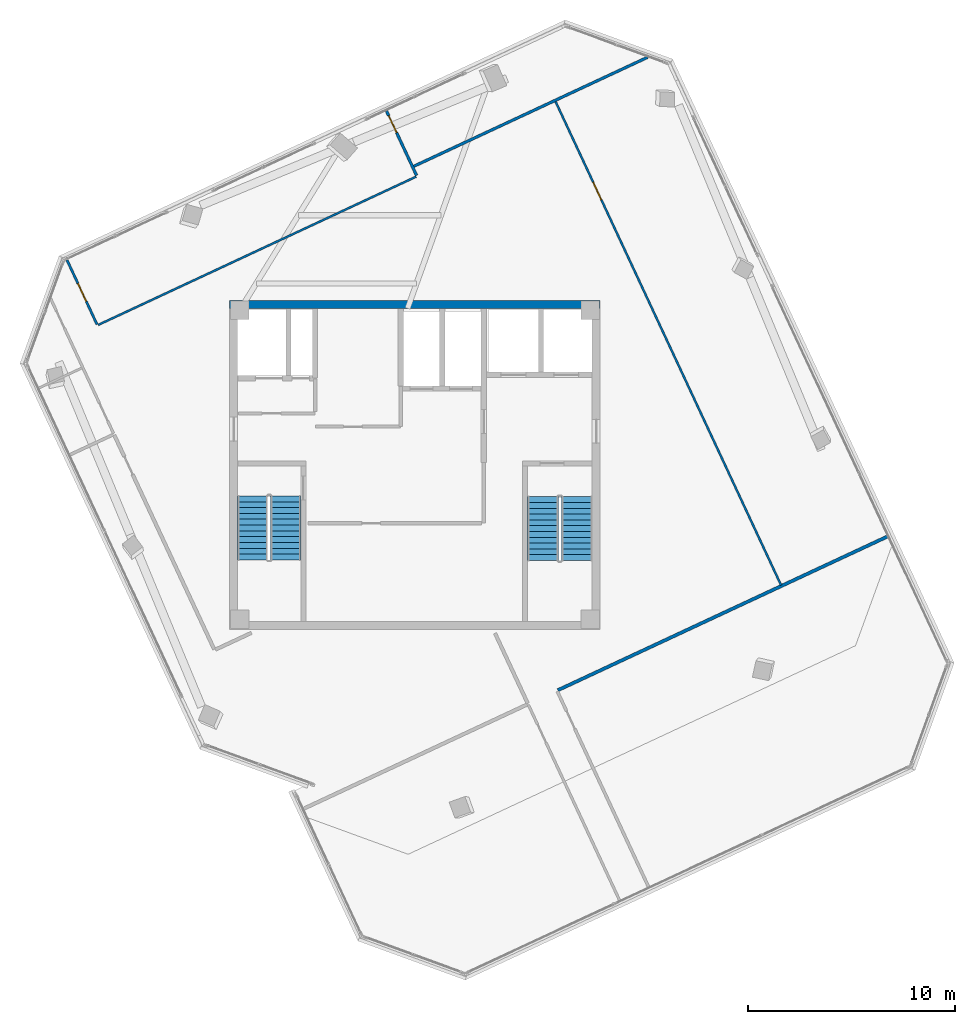
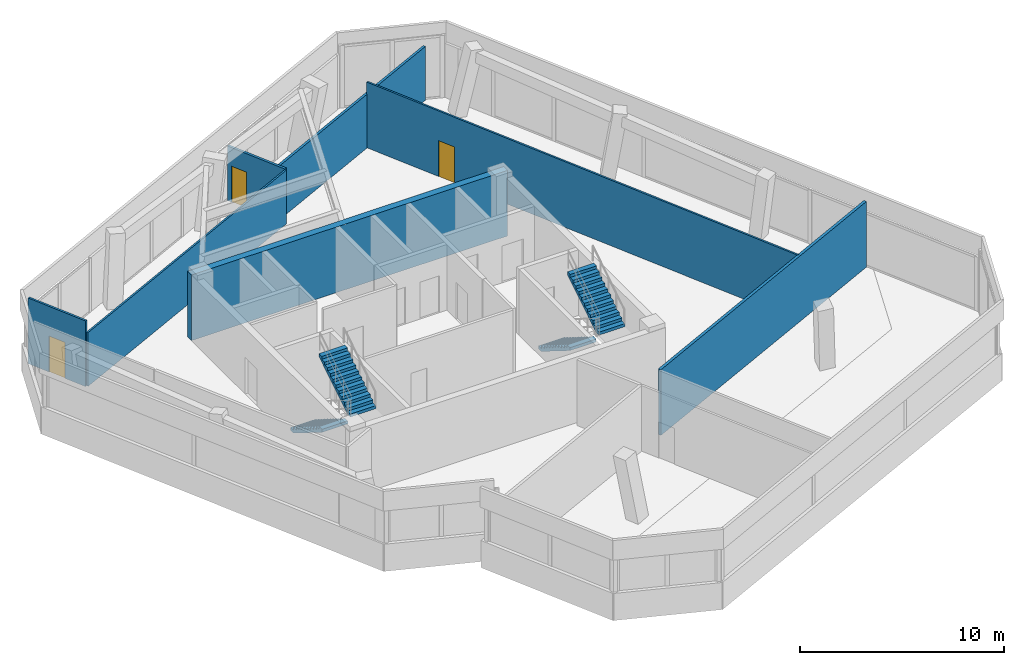
# One storey, part 13 of 16: 7 walls, 4 stair flights, 3 doors, 3 openings, 2 elements without a shape of their own.
"""IFC4 building model written with IfcOpenShell, lengths in metres."""

import ifcopenshell
import ifcopenshell.guid

model = None  # the IFC model being written
_history = None  # IfcOwnerHistory: only IFC2X3 demands one
_inside = {}  # id of a spatial element -> (the spatial element, [elements in it])
_under = {}  # id of a project, library or spatial element -> (it, [spatial elements below it])
_declared = {}  # id of a project -> (the project, [libraries it declares])
_typed = {}  # id of a type object -> (the type object, [elements of that type])
_made_of = {}  # id of a material, layer set ... -> (it, [elements and type objects made of it])


def new_model(schema):
    """Start an empty IFC model of exactly this schema.

    Asked for "IFC4X3", IfcOpenShell would pick the latest addendum, in which some entities
    have other attributes; the version numbers below select the first issue.
    IFC2X3 requires an IfcOwnerHistory on every rooted entity: one is made here for all.
    """
    global model, _history
    if schema == "IFC4X3":
        model = ifcopenshell.file(schema_version=(4, 3, 0, 0))
    else:
        model = ifcopenshell.file(schema=schema)
    _inside.clear()
    _under.clear()
    _declared.clear()
    _typed.clear()
    _made_of.clear()
    _history = None
    if model.schema == "IFC2X3":
        org = make("IfcOrganization", Name="unknown")
        user = make(
            "IfcPersonAndOrganization",
            ThePerson=make("IfcPerson", FamilyName="unknown"),
            TheOrganization=org,
        )
        app = make(
            "IfcApplication",
            ApplicationDeveloper=org,
            Version="unknown",
            ApplicationFullName="unknown",
            ApplicationIdentifier="unknown",
        )
        _history = make(
            "IfcOwnerHistory",
            OwningUser=user,
            OwningApplication=app,
            ChangeAction="ADDED",
            CreationDate=0,
        )
    return model


def make(cls, **values):
    """One entity of the class cls with the attributes given. An attribute that is None is left unset."""
    return model.create_entity(
        cls, **{name: value for name, value in values.items() if value is not None}
    )


def rooted(cls, **values):
    """An entity with a GlobalId (a new one), such as an element, a storey or a relation."""
    return make(cls, GlobalId=ifcopenshell.guid.new(), OwnerHistory=_history, **values)


def si_unit(unit_type, name, prefix=None):
    """IfcSIUnit, for example si_unit("LENGTHUNIT", "METRE", prefix="MILLI")."""
    return make("IfcSIUnit", UnitType=unit_type, Prefix=prefix, Name=name)


def assignment(units):
    """IfcUnitAssignment: the units of a project."""
    return None if units is None else make("IfcUnitAssignment", Units=units)


def point(xyz):
    """IfcCartesianPoint."""
    return None if xyz is None else make("IfcCartesianPoint", Coordinates=xyz)


def direction(xyz):
    """IfcDirection."""
    return None if xyz is None else make("IfcDirection", DirectionRatios=xyz)


def frame(location, z_axis=None, x_axis=None):
    """IfcAxis2Placement3D, a coordinate frame: its origin and axes. An axis left out is left unset."""
    return make(
        "IfcAxis2Placement3D",
        Location=point(location),
        Axis=direction(z_axis),
        RefDirection=direction(x_axis),
    )


def frame_2d(location, x_axis=None):
    """IfcAxis2Placement2D, a coordinate frame in the plane: its origin and x axis."""
    return make(
        "IfcAxis2Placement2D", Location=point(location), RefDirection=direction(x_axis)
    )


def origin():
    """The frame at (0, 0, 0) with its axes left unset."""
    return frame((0.0, 0.0, 0.0))


def place(relative_to, where):
    """IfcLocalPlacement: puts the frame where relative to a parent placement (None: the world)."""
    return make(
        "IfcLocalPlacement", PlacementRelTo=relative_to, RelativePlacement=where
    )


def context(
    kind, dimensions, precision=None, world=None, true_north=None, identifier=None
):
    """IfcGeometricRepresentationContext, for example the 3D "Model" context."""
    return make(
        "IfcGeometricRepresentationContext",
        ContextIdentifier=identifier,
        ContextType=kind,
        CoordinateSpaceDimension=dimensions,
        Precision=precision,
        WorldCoordinateSystem=world,
        TrueNorth=true_north,
    )


def subcontext(parent, identifier, kind, view, scale=None):
    """IfcGeometricRepresentationSubContext, for example "Body" below "Model"."""
    return make(
        "IfcGeometricRepresentationSubContext",
        ContextIdentifier=identifier,
        ContextType=kind,
        ParentContext=parent,
        TargetScale=scale,
        TargetView=view,
    )


def project(units=None, contexts=None):
    """IfcProject with its units and contexts."""
    return rooted(
        "IfcProject",
        Name="project",
        RepresentationContexts=contexts,
        UnitsInContext=assignment(units),
    )


def spatial(cls, under=None, at=None, **own):
    """A site, building, storey or space (cls), placed at a placement, below another one or the project."""
    s = rooted(cls, ObjectPlacement=at, **own)
    if under is not None:
        _under.setdefault(under.id(), (under, []))[1].append(s)
    return s


def polyline(points):
    """IfcPolyline through the points."""
    return make("IfcPolyline", Points=[point(p) for p in points])


def profile(cls, at=None, kind="AREA", **sizes):
    """A parametric profile (cls). Its sizes go by their IFC names, for example OverallWidth=200.0."""
    return make(cls, ProfileType=kind, Position=at, **sizes)


def rectangle(**sizes):
    """IfcRectangleProfileDef."""
    return profile("IfcRectangleProfileDef", **sizes)


def outline(outer, holes=None, kind="AREA"):
    """IfcArbitraryClosedProfileDef: a profile drawn as a closed curve; with holes, ...WithVoids."""
    if holes is None:
        return make("IfcArbitraryClosedProfileDef", ProfileType=kind, OuterCurve=outer)
    return make(
        "IfcArbitraryProfileDefWithVoids",
        ProfileType=kind,
        OuterCurve=outer,
        InnerCurves=holes,
    )


def extrude(swept, where, along, depth):
    """IfcExtrudedAreaSolid: the profile swept, set in the frame where, extruded along a direction by depth."""
    return make(
        "IfcExtrudedAreaSolid",
        SweptArea=swept,
        Position=where,
        ExtrudedDirection=direction(along),
        Depth=depth,
    )


def shape(context_of_items, identifier, shape_type, items):
    """IfcShapeRepresentation: the items that make up one representation, for example the "Body"."""
    return make(
        "IfcShapeRepresentation",
        ContextOfItems=context_of_items,
        RepresentationIdentifier=identifier,
        RepresentationType=shape_type,
        Items=items,
    )


def source(mapping_origin, context_of_items, identifier, shape_type, items):
    """IfcRepresentationMap: a shape defined once, which mapped items show again and again."""
    return make(
        "IfcRepresentationMap",
        MappingOrigin=mapping_origin,
        MappedRepresentation=shape(context_of_items, identifier, shape_type, items),
    )


def transform(
    local_origin,
    x_axis=None,
    y_axis=None,
    z_axis=None,
    scale=None,
    scale2=None,
    scale3=None,
    uniform=True,
):
    """IfcCartesianTransformationOperator3D, or its non-uniform kind. x_axis, y_axis, z_axis: its Axis1, 2, 3."""
    if uniform:
        return make(
            "IfcCartesianTransformationOperator3D",
            Axis1=direction(x_axis),
            Axis2=direction(y_axis),
            LocalOrigin=point(local_origin),
            Scale=scale,
            Axis3=direction(z_axis),
        )
    return make(
        "IfcCartesianTransformationOperator3DnonUniform",
        Axis1=direction(x_axis),
        Axis2=direction(y_axis),
        LocalOrigin=point(local_origin),
        Scale=scale,
        Axis3=direction(z_axis),
        Scale2=scale2,
        Scale3=scale3,
    )


def mapped(mapping_source, mapping_target):
    """IfcMappedItem: shows the shape of a source again, moved by a transform."""
    return make(
        "IfcMappedItem", MappingSource=mapping_source, MappingTarget=mapping_target
    )


def material(Name=None, Category=None):
    """IfcMaterial."""
    return make("IfcMaterial", Name=Name, Category=Category)


def layer(
    of_material, thickness, ventilated=None, Name=None, Category=None, Priority=None
):
    """IfcMaterialLayer: one layer of a wall or slab, of a material (None: an air gap)."""
    return make(
        "IfcMaterialLayer",
        Material=of_material,
        LayerThickness=thickness,
        IsVentilated=ventilated,
        Name=Name,
        Category=Category,
        Priority=Priority,
    )


def layer_set(layers, Name=None):
    """IfcMaterialLayerSet."""
    return make("IfcMaterialLayerSet", MaterialLayers=layers, LayerSetName=Name)


def made_of(thing, what):
    """Note that an element or type object is made of a material, layer set ...; save() writes the relation."""
    if what is not None:
        _made_of.setdefault(what.id(), (what, []))[1].append(thing)
    return thing


def type_object(cls, material=None, **own):
    """A type object (cls), such as IfcWallType, which elements share."""
    return made_of(rooted(cls, **own), material)


def element(
    cls,
    number,
    at=None,
    inside=None,
    cuts=None,
    type_object=None,
    material=None,
    context=None,
    identifier="Body",
    shape_type=None,
    held_by="IfcProductDefinitionShape",
    body=None,
    shapes=None,
    **own,
):
    """One element of the class cls, such as IfcWall. Its Tag is "e" and its number.

    at: its placement. inside: the storey or other place that contains it. cuts: it is an
    opening in that element (IfcRelVoidsElement). A single representation is given by context,
    identifier, shape_type and body (its items); several are given by shapes. held_by: the class
    of the entity that holds the representations. save() writes the other relations.
    """
    e = rooted(cls, Tag="e%d" % number, ObjectPlacement=at, **own)
    if body is not None:
        shapes = [shape(context, identifier, shape_type, body)]
    if shapes is not None:
        e.Representation = make(held_by, Representations=shapes)
    if inside is not None:
        _inside.setdefault(inside.id(), (inside, []))[1].append(e)
    if cuts is not None:
        rooted(
            "IfcRelVoidsElement", RelatingBuildingElement=cuts, RelatedOpeningElement=e
        )
    if type_object is not None:
        _typed.setdefault(type_object.id(), (type_object, []))[1].append(e)
    return made_of(e, material)


def fill(opening, filler):
    """IfcRelFillsElement: the door or window that sits in an opening."""
    return rooted(
        "IfcRelFillsElement",
        RelatingOpeningElement=opening,
        RelatedBuildingElement=filler,
    )


def aggregate(whole, parts):
    """IfcRelAggregates: a whole, such as a stair, and the parts it consists of."""
    return rooted("IfcRelAggregates", RelatingObject=whole, RelatedObjects=parts)


def save(model, path):
    """Write the relations noted so far, then the file.

    IfcRelAggregates (storeys below a building ...), IfcRelContainedInSpatialStructure (elements
    in a storey), IfcRelDefinesByType, IfcRelAssociatesMaterial and IfcRelDeclares: one each for
    every whole, place, type object, material and project.
    """
    for whole, parts in _under.values():
        aggregate(whole, parts)
    for where, things in _inside.values():
        rooted(
            "IfcRelContainedInSpatialStructure",
            RelatedElements=things,
            RelatingStructure=where,
        )
    for kind, things in _typed.values():
        rooted("IfcRelDefinesByType", RelatedObjects=things, RelatingType=kind)
    for what, things in _made_of.values():
        rooted("IfcRelAssociatesMaterial", RelatedObjects=things, RelatingMaterial=what)
    for by, libraries in _declared.values():
        rooted("IfcRelDeclares", RelatingContext=by, RelatedDefinitions=libraries)
    model.write(path)


model = new_model("IFC4")

# Units and contexts
model_context = context("Model", 3, precision=1e-05, world=origin(), true_north=direction((0.0, 1.0)))
body_context = subcontext(model_context, "Body", "Model", "MODEL_VIEW")
ifc_project = project(units=[si_unit("LENGTHUNIT", "METRE"), si_unit("AREAUNIT", "SQUARE_METRE"), si_unit("VOLUMEUNIT", "CUBIC_METRE"), si_unit("PLANEANGLEUNIT", "RADIAN"), si_unit("MASSUNIT", "GRAM", prefix="KILO")], contexts=[model_context])

# Site, building, storey
site_placement = place(None, origin())
site = spatial("IfcSite", under=ifc_project, at=site_placement, CompositionType="ELEMENT")
building_placement = place(site_placement, origin())
building = spatial("IfcBuilding", under=site, at=building_placement, Name="Torre Montelarca", CompositionType="ELEMENT")
storey_placement = place(building_placement, frame((0.0, 0.0, 345.0)))
storey = spatial("IfcBuildingStorey", under=building, at=storey_placement, Name="L78", CompositionType="ELEMENT", Elevation=345.0)

# Walls
ifc_material_1 = material(Name="Concrete C40/50", Category="concrete")
ifc_layer_1 = layer(ifc_material_1, 0.3798828125, Name="Concrete C40/50", Category="concrete")
ifc_layer_set_1 = layer_set([ifc_layer_1], Name="Concrete C40/50")
wall_type_1 = type_object("IfcWallType", Name="CW-SHEAR-380", PredefinedType="SHEAR", material=ifc_layer_set_1)
wall_1_placement = place(storey_placement, frame((9.070068359375, 39.739990234375, 0.0), z_axis=(0.0, 0.0, 1.0), x_axis=(1.0, 0.0, 0.0)))
element("IfcWall", 1, at=wall_1_placement, inside=storey, type_object=wall_type_1, Name="L78 Core Shear Wall CW-N1", PredefinedType="SHEAR", context=body_context, shape_type="SweptSolid", body=[
    extrude(rectangle(XDim=17.85986328125, YDim=0.3798828125, at=frame_2d((8.929931640625, 0.0))), origin(), (0.0, 0.0, 1.0), 3.919921875),
])
ifc_material_2 = material(Name="Gypsum plasterboard on steel stud", Category="steel")
ifc_layer_2 = layer(ifc_material_2, 0.159912109375, Name="Gypsum plasterboard on steel stud", Category="steel")
ifc_layer_set_2 = layer_set([ifc_layer_2], Name="Gypsum plasterboard on steel stud")
wall_type_2 = type_object("IfcWallType", Name="PW-FIRE-160", PredefinedType="PARTITIONING", material=ifc_layer_set_2)
wall_2_placement = place(storey_placement, frame((24.8896484375, 21.134521484375, 0.0), z_axis=(0.0, 0.0, 1.0), x_axis=(0.906308982529, 0.42261569799, 0.0)))
element("IfcWall", 2, at=wall_2_placement, inside=storey, type_object=wall_type_2, Name="L78 Interior Partition W-L78-ECN", PredefinedType="PARTITIONING", context=body_context, shape_type="SweptSolid", body=[
    extrude(rectangle(XDim=17.539794921875, YDim=0.159912109375, at=frame_2d((8.77001953125, 0.0))), origin(), (0.0, 0.0, 1.0), 3.919921875),
])

# Wall, opening, door
ifc_material_3 = material(Name="Acoustic laminated glass partition", Category="glass")
ifc_layer_3 = layer(ifc_material_3, 0.10009765625, Name="Acoustic laminated glass partition", Category="glass")
ifc_layer_set_3 = layer_set([ifc_layer_3], Name="Acoustic laminated glass partition")
wall_type_3 = type_object("IfcWallType", Name="PW-GLAZ-100", PredefinedType="PARTITIONING", material=ifc_layer_set_3)
wall_3_placement = place(storey_placement, frame((24.775390625, 49.537353515625, 0.0), z_axis=(0.0, 0.0, 1.0), x_axis=(0.422615543458, -0.906309054588, 0.0)))
wall_3 = element("IfcWall", 3, at=wall_3_placement, inside=storey, type_object=wall_type_3, Name="L78 Interior Partition W-L78-NBOT", PredefinedType="PARTITIONING", context=body_context, shape_type="SweptSolid", body=[
    extrude(rectangle(XDim=25.75, YDim=0.10009765625, at=frame_2d((12.875, 0.0))), origin(), (0.0, 0.0, 1.0), 3.919921875),
])
opening_1_placement = place(wall_3_placement, frame((4.300048828125, 0.0, 0.0)))
opening_1 = element("IfcOpeningElement", 4, at=opening_1_placement, cuts=wall_3, Name="Opening ID-095", PredefinedType="OPENING", context=body_context, shape_type="SweptSolid", body=[
    extrude(rectangle(XDim=0.949951171875, YDim=2.14990234375, at=frame_2d((0.47509765625, 1.074951171875))), frame((0.0, 0.06005859375, 0.0), z_axis=(0.0, -1.0, 0.0), x_axis=(1.0, 0.0, 0.0)), (0.0, 0.0, 1.0), 0.1201171875),
])
ifc_material_4 = material(Name="Hardwood acoustic timber veneer", Category="wood")
door_type_1 = type_object("IfcDoorType", Name="DR-INT-095", OperationType="NOTDEFINED", PredefinedType="DOOR", material=ifc_material_4)
shared_shape_1 = source(origin(), body_context, "Body", "SweptSolid", [
    extrude(rectangle(XDim=0.949951171875, YDim=2.14990234375, at=frame_2d((0.47509765625, 1.074951171875))), frame((0.0, 0.02490234375, 0.0), z_axis=(0.0, -1.0, 0.0), x_axis=(1.0, 0.0, 0.0)), (0.0, 0.0, 1.0), 0.050048828125),
])
door_1_placement = place(opening_1_placement, origin())
door_1 = element("IfcDoor", 5, at=door_1_placement, inside=storey, type_object=door_type_1, Name="L78 Interior Door 07", OperationType="SINGLE_SWING_LEFT", OverallHeight=2.14990234375, OverallWidth=0.949951171875, PredefinedType="DOOR", context=body_context, shape_type="MappedRepresentation", body=[
    mapped(shared_shape_1, transform((0.0, 0.0, 0.0), scale=1.0)),
])
fill(opening_1, door_1)

# Wall
wall_4_placement = place(storey_placement, frame((2.72900390625, 38.749267578125, 0.0), z_axis=(0.0, 0.0, 1.0), x_axis=(0.906303643754, 0.422627146926, 0.0)))
element("IfcWall", 6, at=wall_4_placement, inside=storey, type_object=wall_type_3, Name="L78 Interior Partition W-L78-WPKE", PredefinedType="PARTITIONING", context=body_context, shape_type="SweptSolid", body=[
    extrude(rectangle(XDim=16.920166015625, YDim=0.10009765625, at=frame_2d((8.4599609375, 0.0))), origin(), (0.0, 0.0, 1.0), 3.2119140625),
])

# Wall, opening, door
ifc_layer_4 = layer(ifc_material_2, 0.114990234375, Name="Gypsum plasterboard on steel stud", Category="steel")
ifc_layer_set_4 = layer_set([ifc_layer_4], Name="Gypsum plasterboard on steel stud")
wall_type_4 = type_object("IfcWallType", Name="PW-PART-115", PredefinedType="PARTITIONING", material=ifc_layer_set_4)
wall_5_placement = place(storey_placement, frame((1.226318359375, 41.877197265625, 0.0), z_axis=(0.0, 0.0, 1.0), x_axis=(0.422616560059, -0.906308580542, 0.0)))
wall_5 = element("IfcWall", 7, at=wall_5_placement, inside=storey, type_object=wall_type_4, Name="L78 Interior Partition W-L78-WPKS", PredefinedType="PARTITIONING", context=body_context, shape_type="SweptSolid", body=[
    extrude(rectangle(XDim=3.4296875, YDim=0.114990234375, at=frame_2d((1.71484375, 0.0))), origin(), (0.0, 0.0, 1.0), 3.919921875),
])
opening_2_placement = place(wall_5_placement, frame((1.25, 0.0, 0.0)))
opening_2 = element("IfcOpeningElement", 8, at=opening_2_placement, cuts=wall_5, Name="Opening ID-095", PredefinedType="OPENING", context=body_context, shape_type="SweptSolid", body=[
    extrude(rectangle(XDim=0.949951171875, YDim=2.14990234375, at=frame_2d((0.47509765625, 1.074951171875))), frame((0.0, 0.0673828125, 0.0), z_axis=(0.0, -1.0, 0.0), x_axis=(1.0, 0.0, 0.0)), (0.0, 0.0, 1.0), 0.135009765625),
])
door_2_placement = place(opening_2_placement, origin())
door_2 = element("IfcDoor", 9, at=door_2_placement, inside=storey, type_object=door_type_1, Name="L78 Interior Door 08", OperationType="SINGLE_SWING_LEFT", OverallHeight=2.14990234375, OverallWidth=0.949951171875, PredefinedType="DOOR", context=body_context, shape_type="MappedRepresentation", body=[
    mapped(shared_shape_1, transform((0.0, 0.0, 0.0), scale=1.0)),
])
fill(opening_2, door_2)

ifc_layer_5 = layer(ifc_material_2, 0.135009765625, Name="Gypsum plasterboard on steel stud", Category="steel")
ifc_layer_set_5 = layer_set([ifc_layer_5], Name="Gypsum plasterboard on steel stud")
wall_type_5 = type_object("IfcWallType", Name="PW-PART-135", PredefinedType="PARTITIONING", material=ifc_layer_set_5)
wall_6_placement = place(storey_placement, frame((16.63330078125, 49.061767578125, 0.0), z_axis=(0.0, 0.0, 1.0), x_axis=(0.422675027226, -0.906281314692, 0.0)))
wall_6 = element("IfcWall", 10, at=wall_6_placement, inside=storey, type_object=wall_type_5, Name="L78 Interior Partition W-L78-WPKN", PredefinedType="PARTITIONING", context=body_context, shape_type="SweptSolid", body=[
    extrude(rectangle(XDim=3.429931640625, YDim=0.135009765625, at=frame_2d((1.71484375, 0.0))), origin(), (0.0, 0.0, 1.0), 3.2548828125),
])
opening_3_placement = place(wall_6_placement, frame((0.25, 0.0, 0.0)))
opening_3 = element("IfcOpeningElement", 11, at=opening_3_placement, cuts=wall_6, Name="Opening ID-090", PredefinedType="OPENING", context=body_context, shape_type="SweptSolid", body=[
    extrude(rectangle(XDim=0.89990234375, YDim=2.14990234375, at=frame_2d((0.449951171875, 1.074951171875))), frame((0.0, 0.07763671875, 0.0), z_axis=(0.0, -1.0, 0.0), x_axis=(1.0, 0.0, 0.0)), (0.0, 0.0, 1.0), 0.155029296875),
])
door_type_2 = type_object("IfcDoorType", Name="DR-INT-090", OperationType="NOTDEFINED", PredefinedType="DOOR", material=ifc_material_4)
shared_shape_2 = source(origin(), body_context, "Body", "SweptSolid", [
    extrude(rectangle(XDim=0.89990234375, YDim=2.14990234375, at=frame_2d((0.449951171875, 1.074951171875))), frame((0.0, 0.02490234375, 0.0), z_axis=(0.0, -1.0, 0.0), x_axis=(1.0, 0.0, 0.0)), (0.0, 0.0, 1.0), 0.050048828125),
])
door_3_placement = place(opening_3_placement, origin())
door_3 = element("IfcDoor", 12, at=door_3_placement, inside=storey, type_object=door_type_2, Name="L78 Interior Door 09", OperationType="SINGLE_SWING_RIGHT", OverallHeight=2.14990234375, OverallWidth=0.89990234375, PredefinedType="DOOR", context=body_context, shape_type="MappedRepresentation", body=[
    mapped(shared_shape_2, transform((0.0, 0.0, 0.0), scale=1.0)),
])
fill(opening_3, door_3)

# Wall
wall_7_placement = place(storey_placement, frame((17.9248046875, 46.386962890625, 0.0), z_axis=(0.0, 0.0, 1.0), x_axis=(0.906304624979, 0.422625042729, 0.0)))
element("IfcWall", 13, at=wall_7_placement, inside=storey, type_object=wall_type_5, Name="L78 Interior Partition W-L78-WPKE2", PredefinedType="PARTITIONING", context=body_context, shape_type="SweptSolid", body=[
    extrude(rectangle(XDim=12.471923828125, YDim=0.135009765625, at=frame_2d((6.23583984375, 0.0))), origin(), (0.0, 0.0, 1.0), 3.2119140625),
])

# Stair, stair flights
stair_type_1 = type_object("IfcStairType", Name="ST-CORE-ST1", PredefinedType="HALF_TURN_STAIR", material=ifc_material_1)
stair_1_placement = place(storey_placement, origin())
stair_1 = element("IfcStair", 14, at=stair_1_placement, inside=storey, type_object=stair_type_1, Name="L78 Protected Exit Stair ST1", PredefinedType="HALF_TURN_STAIR")
stair_flight_type_1 = type_object("IfcStairFlightType", Name="SFL-CORE-ST1", PredefinedType="STRAIGHT", material=ifc_material_1)
stair_flight_1_placement = place(storey_placement, frame((10.175048828125, 30.5, 0.0), z_axis=(0.0, 0.0, 1.0), x_axis=(0.0, -1.0, 0.0)))
stair_flight_1 = element("IfcStairFlight", 15, at=stair_flight_1_placement, type_object=stair_flight_type_1, Name="ST1 flight 1", NumberOfRisers=12, NumberOfTreads=11, PredefinedType="STRAIGHT", RiserHeight=0.175, TreadLength=0.28, context=body_context, shape_type="SweptSolid", body=[
    extrude(outline(polyline([(0.0, 0.0), (0.0, 0.175048828125), (0.280029296875, 0.175048828125), (0.280029296875, 0.35009765625), (0.56005859375, 0.35009765625), (0.56005859375, 0.52490234375), (0.840087890625, 0.52490234375), (0.840087890625, 0.699951171875), (1.1201171875, 0.699951171875), (1.1201171875, 0.875), (1.39990234375, 0.875), (1.39990234375, 1.050048828125), (1.679931640625, 1.050048828125), (1.679931640625, 1.22509765625), (1.9599609375, 1.22509765625), (1.9599609375, 1.39990234375), (2.239990234375, 1.39990234375), (2.239990234375, 1.574951171875), (2.52001953125, 1.574951171875), (2.52001953125, 1.75), (2.800048828125, 1.75), (2.800048828125, 1.925048828125), (3.080078125, 1.925048828125), (3.080078125, 2.10009765625), (3.080078125, 1.748291015625), (0.28271484375, 0.0), (0.0, 0.0)])), frame((0.0, 0.72509765625, 0.0), z_axis=(0.0, -1.0, 0.0), x_axis=(1.0, 0.0, 0.0)), (0.0, 0.0, 1.0), 1.449951171875),
])
stair_flight_2_placement = place(storey_placement, frame((11.77490234375, 27.419921875, 2.10009765625), z_axis=(0.0, 0.0, 1.0), x_axis=(0.0, 1.0, 0.0)))
stair_flight_2 = element("IfcStairFlight", 16, at=stair_flight_2_placement, type_object=stair_flight_type_1, Name="ST1 flight 2", NumberOfRisers=12, NumberOfTreads=11, PredefinedType="STRAIGHT", RiserHeight=0.175, TreadLength=0.28, context=body_context, shape_type="SweptSolid", body=[
    extrude(outline(polyline([(0.0, 0.0), (0.0, 0.175048828125), (0.280029296875, 0.175048828125), (0.280029296875, 0.35009765625), (0.56005859375, 0.35009765625), (0.56005859375, 0.52490234375), (0.840087890625, 0.52490234375), (0.840087890625, 0.699951171875), (1.1201171875, 0.699951171875), (1.1201171875, 0.875), (1.39990234375, 0.875), (1.39990234375, 1.050048828125), (1.679931640625, 1.050048828125), (1.679931640625, 1.22509765625), (1.9599609375, 1.22509765625), (1.9599609375, 1.39990234375), (2.239990234375, 1.39990234375), (2.239990234375, 1.574951171875), (2.52001953125, 1.574951171875), (2.52001953125, 1.75), (2.800048828125, 1.75), (2.800048828125, 1.925048828125), (3.080078125, 1.925048828125), (3.080078125, 2.10009765625), (3.080078125, 1.748291015625), (0.28271484375, 0.0), (0.0, 0.0)])), frame((0.0, 0.72509765625, 0.0), z_axis=(0.0, -1.0, 0.0), x_axis=(1.0, 0.0, 0.0)), (0.0, 0.0, 1.0), 1.449951171875),
])
aggregate(stair_1, [stair_flight_1, stair_flight_2])

stair_type_2 = type_object("IfcStairType", Name="ST-CORE-ST2", PredefinedType="HALF_TURN_STAIR", material=ifc_material_1)
stair_2_placement = place(storey_placement, origin())
stair_2 = element("IfcStair", 17, at=stair_2_placement, inside=storey, type_object=stair_type_2, Name="L78 Protected Exit Stair ST2", PredefinedType="HALF_TURN_STAIR")
stair_flight_type_2 = type_object("IfcStairFlightType", Name="SFL-CORE-ST2", PredefinedType="STRAIGHT", material=ifc_material_1)
stair_flight_3_placement = place(storey_placement, frame((24.179931640625, 30.469970703125, 0.0), z_axis=(0.0, 0.0, 1.0), x_axis=(0.0, -1.0, 0.0)))
stair_flight_3 = element("IfcStairFlight", 18, at=stair_flight_3_placement, type_object=stair_flight_type_2, Name="ST2 flight 1", NumberOfRisers=12, NumberOfTreads=11, PredefinedType="STRAIGHT", RiserHeight=0.175, TreadLength=0.28, context=body_context, shape_type="SweptSolid", body=[
    extrude(outline(polyline([(0.0, 0.0), (0.0, 0.175048828125), (0.280029296875, 0.175048828125), (0.280029296875, 0.35009765625), (0.56005859375, 0.35009765625), (0.56005859375, 0.52490234375), (0.840087890625, 0.52490234375), (0.840087890625, 0.699951171875), (1.1201171875, 0.699951171875), (1.1201171875, 0.875), (1.39990234375, 0.875), (1.39990234375, 1.050048828125), (1.679931640625, 1.050048828125), (1.679931640625, 1.22509765625), (1.9599609375, 1.22509765625), (1.9599609375, 1.39990234375), (2.239990234375, 1.39990234375), (2.239990234375, 1.574951171875), (2.52001953125, 1.574951171875), (2.52001953125, 1.75), (2.800048828125, 1.75), (2.800048828125, 1.925048828125), (3.080078125, 1.925048828125), (3.080078125, 2.10009765625), (3.080078125, 1.748291015625), (0.28271484375, 0.0), (0.0, 0.0)])), frame((0.0, 0.739990234375, 0.0), z_axis=(0.0, -1.0, 0.0), x_axis=(1.0, 0.0, 0.0)), (0.0, 0.0, 1.0), 1.47998046875),
])
stair_flight_4_placement = place(storey_placement, frame((25.81005859375, 27.389892578125, 2.10009765625), z_axis=(0.0, 0.0, 1.0), x_axis=(0.0, 1.0, 0.0)))
stair_flight_4 = element("IfcStairFlight", 19, at=stair_flight_4_placement, type_object=stair_flight_type_2, Name="ST2 flight 2", NumberOfRisers=12, NumberOfTreads=11, PredefinedType="STRAIGHT", RiserHeight=0.175, TreadLength=0.28, context=body_context, shape_type="SweptSolid", body=[
    extrude(outline(polyline([(0.0, 0.0), (0.0, 0.175048828125), (0.280029296875, 0.175048828125), (0.280029296875, 0.35009765625), (0.56005859375, 0.35009765625), (0.56005859375, 0.52490234375), (0.840087890625, 0.52490234375), (0.840087890625, 0.699951171875), (1.1201171875, 0.699951171875), (1.1201171875, 0.875), (1.39990234375, 0.875), (1.39990234375, 1.050048828125), (1.679931640625, 1.050048828125), (1.679931640625, 1.22509765625), (1.9599609375, 1.22509765625), (1.9599609375, 1.39990234375), (2.239990234375, 1.39990234375), (2.239990234375, 1.574951171875), (2.52001953125, 1.574951171875), (2.52001953125, 1.75), (2.800048828125, 1.75), (2.800048828125, 1.925048828125), (3.080078125, 1.925048828125), (3.080078125, 2.10009765625), (3.080078125, 1.748291015625), (0.28271484375, 0.0), (0.0, 0.0)])), frame((0.0, 0.739990234375, 0.0), z_axis=(0.0, -1.0, 0.0), x_axis=(1.0, 0.0, 0.0)), (0.0, 0.0, 1.0), 1.47998046875),
])
aggregate(stair_2, [stair_flight_3, stair_flight_4])

save(model, "model.ifc")
